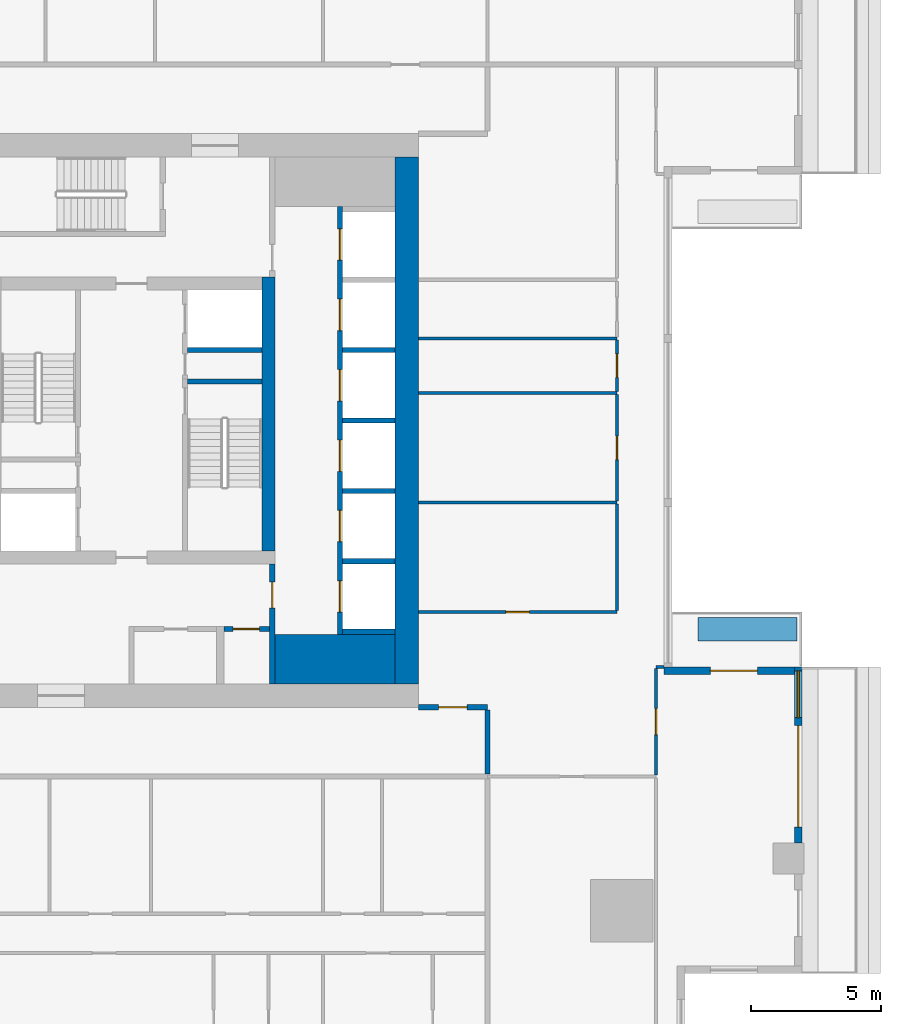
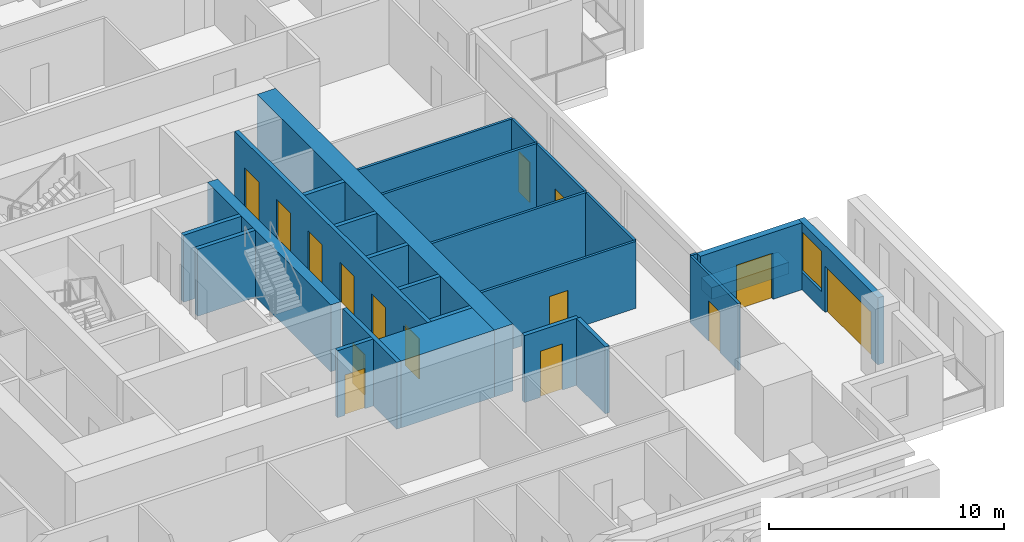
# One storey, part 5 of 15: 27 walls, 15 doors, 1 window, 16 openings.
"""IFC4 building model written with IfcOpenShell, lengths in metres."""

import ifcopenshell
import ifcopenshell.guid

model = None  # the IFC model being written
_history = None  # IfcOwnerHistory: only IFC2X3 demands one
_inside = {}  # id of a spatial element -> (the spatial element, [elements in it])
_under = {}  # id of a project, library or spatial element -> (it, [spatial elements below it])
_declared = {}  # id of a project -> (the project, [libraries it declares])
_typed = {}  # id of a type object -> (the type object, [elements of that type])
_made_of = {}  # id of a material, layer set ... -> (it, [elements and type objects made of it])


def new_model(schema):
    """Start an empty IFC model of exactly this schema.

    Asked for "IFC4X3", IfcOpenShell would pick the latest addendum, in which some entities
    have other attributes; the version numbers below select the first issue.
    IFC2X3 requires an IfcOwnerHistory on every rooted entity: one is made here for all.
    """
    global model, _history
    if schema == "IFC4X3":
        model = ifcopenshell.file(schema_version=(4, 3, 0, 0))
    else:
        model = ifcopenshell.file(schema=schema)
    _inside.clear()
    _under.clear()
    _declared.clear()
    _typed.clear()
    _made_of.clear()
    _history = None
    if model.schema == "IFC2X3":
        org = make("IfcOrganization", Name="unknown")
        user = make(
            "IfcPersonAndOrganization",
            ThePerson=make("IfcPerson", FamilyName="unknown"),
            TheOrganization=org,
        )
        app = make(
            "IfcApplication",
            ApplicationDeveloper=org,
            Version="unknown",
            ApplicationFullName="unknown",
            ApplicationIdentifier="unknown",
        )
        _history = make(
            "IfcOwnerHistory",
            OwningUser=user,
            OwningApplication=app,
            ChangeAction="ADDED",
            CreationDate=0,
        )
    return model


def make(cls, **values):
    """One entity of the class cls with the attributes given. An attribute that is None is left unset."""
    return model.create_entity(
        cls, **{name: value for name, value in values.items() if value is not None}
    )


def rooted(cls, **values):
    """An entity with a GlobalId (a new one), such as an element, a storey or a relation."""
    return make(cls, GlobalId=ifcopenshell.guid.new(), OwnerHistory=_history, **values)


def si_unit(unit_type, name, prefix=None):
    """IfcSIUnit, for example si_unit("LENGTHUNIT", "METRE", prefix="MILLI")."""
    return make("IfcSIUnit", UnitType=unit_type, Prefix=prefix, Name=name)


def assignment(units):
    """IfcUnitAssignment: the units of a project."""
    return None if units is None else make("IfcUnitAssignment", Units=units)


def point(xyz):
    """IfcCartesianPoint."""
    return None if xyz is None else make("IfcCartesianPoint", Coordinates=xyz)


def direction(xyz):
    """IfcDirection."""
    return None if xyz is None else make("IfcDirection", DirectionRatios=xyz)


def frame(location, z_axis=None, x_axis=None):
    """IfcAxis2Placement3D, a coordinate frame: its origin and axes. An axis left out is left unset."""
    return make(
        "IfcAxis2Placement3D",
        Location=point(location),
        Axis=direction(z_axis),
        RefDirection=direction(x_axis),
    )


def frame_2d(location, x_axis=None):
    """IfcAxis2Placement2D, a coordinate frame in the plane: its origin and x axis."""
    return make(
        "IfcAxis2Placement2D", Location=point(location), RefDirection=direction(x_axis)
    )


def origin():
    """The frame at (0, 0, 0) with its axes left unset."""
    return frame((0.0, 0.0, 0.0))


def place(relative_to, where):
    """IfcLocalPlacement: puts the frame where relative to a parent placement (None: the world)."""
    return make(
        "IfcLocalPlacement", PlacementRelTo=relative_to, RelativePlacement=where
    )


def context(
    kind, dimensions, precision=None, world=None, true_north=None, identifier=None
):
    """IfcGeometricRepresentationContext, for example the 3D "Model" context."""
    return make(
        "IfcGeometricRepresentationContext",
        ContextIdentifier=identifier,
        ContextType=kind,
        CoordinateSpaceDimension=dimensions,
        Precision=precision,
        WorldCoordinateSystem=world,
        TrueNorth=true_north,
    )


def subcontext(parent, identifier, kind, view, scale=None):
    """IfcGeometricRepresentationSubContext, for example "Body" below "Model"."""
    return make(
        "IfcGeometricRepresentationSubContext",
        ContextIdentifier=identifier,
        ContextType=kind,
        ParentContext=parent,
        TargetScale=scale,
        TargetView=view,
    )


def project(units=None, contexts=None):
    """IfcProject with its units and contexts."""
    return rooted(
        "IfcProject",
        Name="project",
        RepresentationContexts=contexts,
        UnitsInContext=assignment(units),
    )


def spatial(cls, under=None, at=None, **own):
    """A site, building, storey or space (cls), placed at a placement, below another one or the project."""
    s = rooted(cls, ObjectPlacement=at, **own)
    if under is not None:
        _under.setdefault(under.id(), (under, []))[1].append(s)
    return s


def profile(cls, at=None, kind="AREA", **sizes):
    """A parametric profile (cls). Its sizes go by their IFC names, for example OverallWidth=200.0."""
    return make(cls, ProfileType=kind, Position=at, **sizes)


def rectangle(**sizes):
    """IfcRectangleProfileDef."""
    return profile("IfcRectangleProfileDef", **sizes)


def extrude(swept, where, along, depth):
    """IfcExtrudedAreaSolid: the profile swept, set in the frame where, extruded along a direction by depth."""
    return make(
        "IfcExtrudedAreaSolid",
        SweptArea=swept,
        Position=where,
        ExtrudedDirection=direction(along),
        Depth=depth,
    )


def shape(context_of_items, identifier, shape_type, items):
    """IfcShapeRepresentation: the items that make up one representation, for example the "Body"."""
    return make(
        "IfcShapeRepresentation",
        ContextOfItems=context_of_items,
        RepresentationIdentifier=identifier,
        RepresentationType=shape_type,
        Items=items,
    )


def material(Name=None, Category=None):
    """IfcMaterial."""
    return make("IfcMaterial", Name=Name, Category=Category)


def layer(
    of_material, thickness, ventilated=None, Name=None, Category=None, Priority=None
):
    """IfcMaterialLayer: one layer of a wall or slab, of a material (None: an air gap)."""
    return make(
        "IfcMaterialLayer",
        Material=of_material,
        LayerThickness=thickness,
        IsVentilated=ventilated,
        Name=Name,
        Category=Category,
        Priority=Priority,
    )


def layer_set(layers, Name=None):
    """IfcMaterialLayerSet."""
    return make("IfcMaterialLayerSet", MaterialLayers=layers, LayerSetName=Name)


def made_of(thing, what):
    """Note that an element or type object is made of a material, layer set ...; save() writes the relation."""
    if what is not None:
        _made_of.setdefault(what.id(), (what, []))[1].append(thing)
    return thing


def type_object(cls, material=None, **own):
    """A type object (cls), such as IfcWallType, which elements share."""
    return made_of(rooted(cls, **own), material)


def element(
    cls,
    number,
    at=None,
    inside=None,
    cuts=None,
    type_object=None,
    material=None,
    context=None,
    identifier="Body",
    shape_type=None,
    held_by="IfcProductDefinitionShape",
    body=None,
    shapes=None,
    **own,
):
    """One element of the class cls, such as IfcWall. Its Tag is "e" and its number.

    at: its placement. inside: the storey or other place that contains it. cuts: it is an
    opening in that element (IfcRelVoidsElement). A single representation is given by context,
    identifier, shape_type and body (its items); several are given by shapes. held_by: the class
    of the entity that holds the representations. save() writes the other relations.
    """
    e = rooted(cls, Tag="e%d" % number, ObjectPlacement=at, **own)
    if body is not None:
        shapes = [shape(context, identifier, shape_type, body)]
    if shapes is not None:
        e.Representation = make(held_by, Representations=shapes)
    if inside is not None:
        _inside.setdefault(inside.id(), (inside, []))[1].append(e)
    if cuts is not None:
        rooted(
            "IfcRelVoidsElement", RelatingBuildingElement=cuts, RelatedOpeningElement=e
        )
    if type_object is not None:
        _typed.setdefault(type_object.id(), (type_object, []))[1].append(e)
    return made_of(e, material)


def fill(opening, filler):
    """IfcRelFillsElement: the door or window that sits in an opening."""
    return rooted(
        "IfcRelFillsElement",
        RelatingOpeningElement=opening,
        RelatedBuildingElement=filler,
    )


def aggregate(whole, parts):
    """IfcRelAggregates: a whole, such as a stair, and the parts it consists of."""
    return rooted("IfcRelAggregates", RelatingObject=whole, RelatedObjects=parts)


def save(model, path):
    """Write the relations noted so far, then the file.

    IfcRelAggregates (storeys below a building ...), IfcRelContainedInSpatialStructure (elements
    in a storey), IfcRelDefinesByType, IfcRelAssociatesMaterial and IfcRelDeclares: one each for
    every whole, place, type object, material and project.
    """
    for whole, parts in _under.values():
        aggregate(whole, parts)
    for where, things in _inside.values():
        rooted(
            "IfcRelContainedInSpatialStructure",
            RelatedElements=things,
            RelatingStructure=where,
        )
    for kind, things in _typed.values():
        rooted("IfcRelDefinesByType", RelatedObjects=things, RelatingType=kind)
    for what, things in _made_of.values():
        rooted("IfcRelAssociatesMaterial", RelatedObjects=things, RelatingMaterial=what)
    for by, libraries in _declared.values():
        rooted("IfcRelDeclares", RelatingContext=by, RelatedDefinitions=libraries)
    model.write(path)


model = new_model("IFC4")

# Units and contexts
model_context = context("Model", 3, precision=1e-05, world=origin(), true_north=direction((0.0, 1.0)))
body_context = subcontext(model_context, "Body", "Model", "MODEL_VIEW")
ifc_project = project(units=[si_unit("LENGTHUNIT", "METRE"), si_unit("AREAUNIT", "SQUARE_METRE"), si_unit("VOLUMEUNIT", "CUBIC_METRE"), si_unit("PLANEANGLEUNIT", "RADIAN"), si_unit("MASSUNIT", "GRAM", prefix="KILO")], contexts=[model_context])

# Site, building, storey
site_placement = place(None, origin())
site = spatial("IfcSite", under=ifc_project, at=site_placement, CompositionType="ELEMENT")
building_placement = place(site_placement, origin())
building = spatial("IfcBuilding", under=site, at=building_placement, Name="Khepri Terraces", CompositionType="ELEMENT")
storey_placement = place(building_placement, frame((0.0, 0.0, 211.800048828125)))
storey = spatial("IfcBuildingStorey", under=building, at=storey_placement, Name="L50", CompositionType="ELEMENT", Elevation=211.800048828125)

# Walls
ifc_material_1 = material(Name="Concrete C50/60", Category="concrete")
ifc_layer_1 = layer(ifc_material_1, 1.89990234375, Name="Concrete C50/60", Category="concrete")
ifc_layer_set_1 = layer_set([ifc_layer_1], Name="Concrete C50/60")
wall_type_1 = type_object("IfcWallType", Name="Core wall 1900 C50/60", PredefinedType="SHEAR", material=ifc_layer_set_1)
wall_1_placement = place(storey_placement, frame((5.5, -9.14990234375, 0.0), z_axis=(0.0, 0.0, 1.0), x_axis=(1.0, 0.0, 0.0)))
element("IfcWall", 1, at=wall_1_placement, inside=storey, type_object=wall_type_1, Name="Core wall PR02 L50", PredefinedType="SHEAR", context=body_context, shape_type="SweptSolid", body=[
    extrude(rectangle(XDim=4.60009765625, YDim=1.89990234375, at=frame_2d((2.300048828125, 0.0))), origin(), (0.0, 0.0, 1.0), 3.47998046875),
])
ifc_layer_2 = layer(ifc_material_1, 0.199951171875, Name="Concrete C50/60", Category="concrete")
ifc_layer_set_2 = layer_set([ifc_layer_2], Name="Concrete C50/60")
wall_type_2 = type_object("IfcWallType", Name="Core wall 200 C50/60", PredefinedType="SHEAR", material=ifc_layer_set_2)
wall_2_placement = place(storey_placement, frame((2.14990234375, 1.5, 0.0), z_axis=(0.0, 0.0, 1.0), x_axis=(1.0, 0.0, 0.0)))
element("IfcWall", 2, at=wall_2_placement, inside=storey, type_object=wall_type_2, Name="Core wall ST04 L50", PredefinedType="SHEAR", context=body_context, shape_type="SweptSolid", body=[
    extrude(rectangle(XDim=2.85009765625, YDim=0.199951171875, at=frame_2d((1.425048828125, 0.0))), origin(), (0.0, 0.0, 1.0), 3.47998046875),
])

# Wall, openings, doors
wall_3_placement = place(storey_placement, frame((8.0, -8.199951171875, 0.0), z_axis=(0.0, 0.0, 1.0), x_axis=(0.0, 1.0, 0.0)))
wall_3 = element("IfcWall", 3, at=wall_3_placement, inside=storey, type_object=wall_type_2, Name="Core wall SH02 L50", PredefinedType="SHEAR", context=body_context, shape_type="SweptSolid", body=[
    extrude(rectangle(XDim=16.39990234375, YDim=0.199951171875, at=frame_2d((8.199951171875, 0.0))), origin(), (0.0, 0.0, 1.0), 3.47998046875),
])
opening_1_placement = place(wall_3_placement, frame((0.85009765625, 0.0, 0.0)))
opening_1 = element("IfcOpeningElement", 4, at=opening_1_placement, cuts=wall_3, Name="Opening L50-C01", PredefinedType="OPENING", context=body_context, shape_type="SweptSolid", body=[
    extrude(rectangle(XDim=1.199951171875, YDim=2.10009765625, at=frame_2d((0.60009765625, 1.050048828125))), frame((0.0, 0.10986328125, 0.0), z_axis=(0.0, -1.0, 0.0), x_axis=(1.0, 0.0, 0.0)), (0.0, 0.0, 1.0), 0.219970703125),
])
opening_2_placement = place(wall_3_placement, frame((3.550048828125, 0.0, 0.0)))
opening_2 = element("IfcOpeningElement", 5, at=opening_2_placement, cuts=wall_3, Name="Opening L50-C02", PredefinedType="OPENING", context=body_context, shape_type="SweptSolid", body=[
    extrude(rectangle(XDim=1.199951171875, YDim=2.10009765625, at=frame_2d((0.60009765625, 1.050048828125))), frame((0.0, 0.10986328125, 0.0), z_axis=(0.0, -1.0, 0.0), x_axis=(1.0, 0.0, 0.0)), (0.0, 0.0, 1.0), 0.219970703125),
])
opening_3_placement = place(wall_3_placement, frame((6.25, 0.0, 0.0)))
opening_3 = element("IfcOpeningElement", 6, at=opening_3_placement, cuts=wall_3, Name="Opening L50-C03", PredefinedType="OPENING", context=body_context, shape_type="SweptSolid", body=[
    extrude(rectangle(XDim=1.199951171875, YDim=2.10009765625, at=frame_2d((0.60009765625, 1.050048828125))), frame((0.0, 0.10986328125, 0.0), z_axis=(0.0, -1.0, 0.0), x_axis=(1.0, 0.0, 0.0)), (0.0, 0.0, 1.0), 0.219970703125),
])
opening_4_placement = place(wall_3_placement, frame((8.949951171875, 0.0, 0.0)))
opening_4 = element("IfcOpeningElement", 7, at=opening_4_placement, cuts=wall_3, Name="Opening L50-C04", PredefinedType="OPENING", context=body_context, shape_type="SweptSolid", body=[
    extrude(rectangle(XDim=1.199951171875, YDim=2.10009765625, at=frame_2d((0.60009765625, 1.050048828125))), frame((0.0, 0.10986328125, 0.0), z_axis=(0.0, -1.0, 0.0), x_axis=(1.0, 0.0, 0.0)), (0.0, 0.0, 1.0), 0.219970703125),
])
opening_5_placement = place(wall_3_placement, frame((11.64990234375, 0.0, 0.0)))
opening_5 = element("IfcOpeningElement", 8, at=opening_5_placement, cuts=wall_3, Name="Opening L50-C05", PredefinedType="OPENING", context=body_context, shape_type="SweptSolid", body=[
    extrude(rectangle(XDim=1.199951171875, YDim=2.10009765625, at=frame_2d((0.60009765625, 1.050048828125))), frame((0.0, 0.10986328125, 0.0), z_axis=(0.0, -1.0, 0.0), x_axis=(1.0, 0.0, 0.0)), (0.0, 0.0, 1.0), 0.219970703125),
])
opening_6_placement = place(wall_3_placement, frame((14.35009765625, 0.0, 0.0)))
opening_6 = element("IfcOpeningElement", 9, at=opening_6_placement, cuts=wall_3, Name="Opening L50-C06", PredefinedType="OPENING", context=body_context, shape_type="SweptSolid", body=[
    extrude(rectangle(XDim=1.199951171875, YDim=2.10009765625, at=frame_2d((0.60009765625, 1.050048828125))), frame((0.0, 0.10986328125, 0.0), z_axis=(0.0, -1.0, 0.0), x_axis=(1.0, 0.0, 0.0)), (0.0, 0.0, 1.0), 0.219970703125),
])
ifc_material_2 = material(Name="Stainless steel 304", Category="steel")
door_type_1 = type_object("IfcDoorType", Name="DR-CORE-LANDING-1200", OperationType="NOTDEFINED", PredefinedType="DOOR", material=ifc_material_2)
door_1_placement = place(opening_1_placement, origin())
door_1 = element("IfcDoor", 10, at=door_1_placement, inside=storey, type_object=door_type_1, Name="Lift landing door L50-C01", OperationType="SLIDING_TO_LEFT", OverallHeight=2.10009765625, OverallWidth=1.199951171875, PredefinedType="DOOR", context=body_context, shape_type="SweptSolid", body=[
    extrude(rectangle(XDim=1.199951171875, YDim=2.10009765625, at=frame_2d((0.60009765625, 1.050048828125))), frame((0.0, 0.02490234375, 0.0), z_axis=(0.0, -1.0, 0.0), x_axis=(1.0, 0.0, 0.0)), (0.0, 0.0, 1.0), 0.050048828125),
])
fill(opening_1, door_1)
door_2_placement = place(opening_2_placement, origin())
door_2 = element("IfcDoor", 11, at=door_2_placement, inside=storey, type_object=door_type_1, Name="Lift landing door L50-C02", OperationType="SLIDING_TO_LEFT", OverallHeight=2.10009765625, OverallWidth=1.199951171875, PredefinedType="DOOR", context=body_context, shape_type="SweptSolid", body=[
    extrude(rectangle(XDim=1.199951171875, YDim=2.10009765625, at=frame_2d((0.60009765625, 1.050048828125))), frame((0.0, 0.02490234375, 0.0), z_axis=(0.0, -1.0, 0.0), x_axis=(1.0, 0.0, 0.0)), (0.0, 0.0, 1.0), 0.050048828125),
])
fill(opening_2, door_2)
door_3_placement = place(opening_3_placement, origin())
door_3 = element("IfcDoor", 12, at=door_3_placement, inside=storey, type_object=door_type_1, Name="Lift landing door L50-C03", OperationType="SLIDING_TO_LEFT", OverallHeight=2.10009765625, OverallWidth=1.199951171875, PredefinedType="DOOR", context=body_context, shape_type="SweptSolid", body=[
    extrude(rectangle(XDim=1.199951171875, YDim=2.10009765625, at=frame_2d((0.60009765625, 1.050048828125))), frame((0.0, 0.02490234375, 0.0), z_axis=(0.0, -1.0, 0.0), x_axis=(1.0, 0.0, 0.0)), (0.0, 0.0, 1.0), 0.050048828125),
])
fill(opening_3, door_3)
door_4_placement = place(opening_4_placement, origin())
door_4 = element("IfcDoor", 13, at=door_4_placement, inside=storey, type_object=door_type_1, Name="Lift landing door L50-C04", OperationType="SLIDING_TO_LEFT", OverallHeight=2.10009765625, OverallWidth=1.199951171875, PredefinedType="DOOR", context=body_context, shape_type="SweptSolid", body=[
    extrude(rectangle(XDim=1.199951171875, YDim=2.10009765625, at=frame_2d((0.60009765625, 1.050048828125))), frame((0.0, 0.02490234375, 0.0), z_axis=(0.0, -1.0, 0.0), x_axis=(1.0, 0.0, 0.0)), (0.0, 0.0, 1.0), 0.050048828125),
])
fill(opening_4, door_4)
door_5_placement = place(opening_5_placement, origin())
door_5 = element("IfcDoor", 14, at=door_5_placement, inside=storey, type_object=door_type_1, Name="Lift landing door L50-C05", OperationType="SLIDING_TO_LEFT", OverallHeight=2.10009765625, OverallWidth=1.199951171875, PredefinedType="DOOR", context=body_context, shape_type="SweptSolid", body=[
    extrude(rectangle(XDim=1.199951171875, YDim=2.10009765625, at=frame_2d((0.60009765625, 1.050048828125))), frame((0.0, 0.02490234375, 0.0), z_axis=(0.0, -1.0, 0.0), x_axis=(1.0, 0.0, 0.0)), (0.0, 0.0, 1.0), 0.050048828125),
])
fill(opening_5, door_5)
door_6_placement = place(opening_6_placement, origin())
door_6 = element("IfcDoor", 15, at=door_6_placement, inside=storey, type_object=door_type_1, Name="Lift landing door L50-C06", OperationType="SLIDING_TO_LEFT", OverallHeight=2.10009765625, OverallWidth=1.199951171875, PredefinedType="DOOR", context=body_context, shape_type="SweptSolid", body=[
    extrude(rectangle(XDim=1.199951171875, YDim=2.10009765625, at=frame_2d((0.60009765625, 1.050048828125))), frame((0.0, 0.02490234375, 0.0), z_axis=(0.0, -1.0, 0.0), x_axis=(1.0, 0.0, 0.0)), (0.0, 0.0, 1.0), 0.050048828125),
])
fill(opening_6, door_6)

# Walls
for number, where, z_axis, x_axis, name in (
    (16, (8.10009765625, -8.10009765625, 0.0), (0.0, 0.0, 1.0), (1.0, 0.0, 0.0), "Core wall SH03 L50"),
    (17, (8.10009765625, -5.39990234375, 0.0), (0.0, 0.0, 1.0), (1.0, 0.0, 0.0), "Core wall SH04 L50"),
    (18, (8.10009765625, -2.699951171875, 0.0), (0.0, 0.0, 1.0), (1.0, 0.0, 0.0), "Core wall SH08 L50"),
    (19, (8.10009765625, 0.0, 0.0), (0.0, 0.0, 1.0), (1.0, 0.0, 0.0), "Core wall SH09 L50"),
):
    element("IfcWall", number, at=place(storey_placement, frame(where, z_axis=z_axis, x_axis=x_axis)), inside=storey, type_object=wall_type_2, Name=name, PredefinedType="SHEAR", context=body_context, shape_type="SweptSolid", body=[
        extrude(rectangle(XDim=2.0, YDim=0.199951171875, at=frame_2d((1.0, 0.0))), origin(), (0.0, 0.0, 1.0), 3.47998046875),
    ])
wall_4_placement = place(storey_placement, frame((2.14990234375, 2.699951171875, 0.0), z_axis=(0.0, 0.0, 1.0), x_axis=(1.0, 0.0, 0.0)))
element("IfcWall", 20, at=wall_4_placement, inside=storey, type_object=wall_type_2, Name="Core wall SH12 L50", PredefinedType="SHEAR", context=body_context, shape_type="SweptSolid", body=[
    extrude(rectangle(XDim=2.85009765625, YDim=0.199951171875, at=frame_2d((1.425048828125, 0.0))), origin(), (0.0, 0.0, 1.0), 3.47998046875),
])
wall_5_placement = place(storey_placement, frame((8.10009765625, 2.699951171875, 0.0), z_axis=(0.0, 0.0, 1.0), x_axis=(1.0, 0.0, 0.0)))
element("IfcWall", 21, at=wall_5_placement, inside=storey, type_object=wall_type_2, Name="Core wall SH13 L50", PredefinedType="SHEAR", context=body_context, shape_type="SweptSolid", body=[
    extrude(rectangle(XDim=2.0, YDim=0.199951171875, at=frame_2d((1.0, 0.0))), origin(), (0.0, 0.0, 1.0), 3.47998046875),
])
ifc_layer_3 = layer(ifc_material_1, 0.5, Name="Concrete C50/60", Category="concrete")
ifc_layer_set_3 = layer_set([ifc_layer_3], Name="Concrete C50/60")
wall_type_3 = type_object("IfcWallType", Name="Core wall 500 C50/60", PredefinedType="SHEAR", material=ifc_layer_set_3)
wall_6_placement = place(storey_placement, frame((5.25, -5.0, 0.0), z_axis=(0.0, 0.0, 1.0), x_axis=(0.0, 1.0, 0.0)))
element("IfcWall", 22, at=wall_6_placement, inside=storey, type_object=wall_type_3, Name="Core wall BX03 L50", PredefinedType="SHEAR", context=body_context, shape_type="SweptSolid", body=[
    extrude(rectangle(XDim=10.5, YDim=0.5, at=frame_2d((5.25, 0.0))), origin(), (0.0, 0.0, 1.0), 3.47998046875),
])
ifc_layer_4 = layer(ifc_material_1, 0.89990234375, Name="Concrete C50/60", Category="concrete")
ifc_layer_set_4 = layer_set([ifc_layer_4], Name="Concrete C50/60")
wall_type_4 = type_object("IfcWallType", Name="Core wall 900 C50/60", PredefinedType="SHEAR", material=ifc_layer_set_4)
wall_7_placement = place(storey_placement, frame((10.550048828125, -10.10009765625, 0.0), z_axis=(0.0, 0.0, 1.0), x_axis=(0.0, 1.0, 0.0)))
element("IfcWall", 23, at=wall_7_placement, inside=storey, type_object=wall_type_4, Name="Core wall OW-E L50", PredefinedType="SHEAR", context=body_context, shape_type="SweptSolid", body=[
    extrude(rectangle(XDim=20.2001953125, YDim=0.89990234375, at=frame_2d((10.10009765625, 0.0))), origin(), (0.0, 0.0, 1.0), 3.47998046875),
])

# Wall, opening, door
ifc_material_3 = material(Name="Fire-rated gypsum board partition")
ifc_layer_5 = layer(ifc_material_3, 0.199951171875, Name="Fire-rated gypsum board partition")
ifc_layer_set_5 = layer_set([ifc_layer_5], Name="Fire-rated gypsum board partition")
wall_type_5 = type_object("IfcWallType", Name="WL-CORE-PART-200", PredefinedType="PARTITIONING", material=ifc_layer_set_5)
wall_8_placement = place(storey_placement, frame((5.39990234375, -10.10009765625, 0.0), z_axis=(0.0, 0.0, 1.0), x_axis=(0.0, 1.0, 0.0)))
wall_8 = element("IfcWall", 24, at=wall_8_placement, inside=storey, type_object=wall_type_5, Name="Core partition PT04 L50", PredefinedType="PARTITIONING", context=body_context, shape_type="SweptSolid", body=[
    extrude(rectangle(XDim=4.60009765625, YDim=0.199951171875, at=frame_2d((2.300048828125, 0.0))), origin(), (0.0, 0.0, 1.0), 3.47998046875),
])
opening_7_placement = place(wall_8_placement, frame((2.89990234375, 0.0, 0.0)))
opening_7 = element("IfcOpeningElement", 25, at=opening_7_placement, cuts=wall_8, Name="Opening L50-C19", PredefinedType="OPENING", context=body_context, shape_type="SweptSolid", body=[
    extrude(rectangle(XDim=1.0, YDim=2.10009765625, at=frame_2d((0.5, 1.050048828125))), frame((0.0, 0.10986328125, 0.0), z_axis=(0.0, -1.0, 0.0), x_axis=(1.0, 0.0, 0.0)), (0.0, 0.0, 1.0), 0.219970703125),
])
ifc_material_4 = material(Name="Painted steel", Category="steel")
door_type_2 = type_object("IfcDoorType", Name="DR-CORE-LOBBY-1000", OperationType="NOTDEFINED", PredefinedType="DOOR", material=ifc_material_4)
door_7_placement = place(opening_7_placement, origin())
door_7 = element("IfcDoor", 26, at=door_7_placement, inside=storey, type_object=door_type_2, Name="Lobby door L50-C19", OperationType="SINGLE_SWING_RIGHT", OverallHeight=2.10009765625, OverallWidth=1.0, PredefinedType="DOOR", context=body_context, shape_type="SweptSolid", body=[
    extrude(rectangle(XDim=1.0, YDim=2.10009765625, at=frame_2d((0.5, 1.050048828125))), frame((0.0, 0.02490234375, 0.0), z_axis=(0.0, -1.0, 0.0), x_axis=(1.0, 0.0, 0.0)), (0.0, 0.0, 1.0), 0.050048828125),
])
fill(opening_7, door_7)

wall_9_placement = place(storey_placement, frame((3.550048828125, -8.0, 0.0), z_axis=(0.0, 0.0, 1.0), x_axis=(1.0, 0.0, 0.0)))
wall_9 = element("IfcWall", 27, at=wall_9_placement, inside=storey, type_object=wall_type_5, Name="Core partition PT07 L50", PredefinedType="PARTITIONING", context=body_context, shape_type="SweptSolid", body=[
    extrude(rectangle(XDim=1.75, YDim=0.199951171875, at=frame_2d((0.875, 0.0))), origin(), (0.0, 0.0, 1.0), 3.47998046875),
])
opening_8_placement = place(wall_9_placement, frame((0.35009765625, 0.0, 0.0)))
opening_8 = element("IfcOpeningElement", 28, at=opening_8_placement, cuts=wall_9, Name="Opening L50-C23", PredefinedType="OPENING", context=body_context, shape_type="SweptSolid", body=[
    extrude(rectangle(XDim=1.0, YDim=2.10009765625, at=frame_2d((0.5, 1.050048828125))), frame((0.0, 0.10986328125, 0.0), z_axis=(0.0, -1.0, 0.0), x_axis=(1.0, 0.0, 0.0)), (0.0, 0.0, 1.0), 0.219970703125),
])
ifc_material_5 = material(Name="Timber veneer", Category="wood")
door_type_3 = type_object("IfcDoorType", Name="DR-CORE-WC-1000", OperationType="NOTDEFINED", PredefinedType="DOOR", material=ifc_material_5)
door_8_placement = place(opening_8_placement, frame((1.0, 0.0, 0.0), z_axis=(0.0, 0.0, 1.0), x_axis=(-1.0, 0.0, 0.0)))
door_8 = element("IfcDoor", 29, at=door_8_placement, inside=storey, type_object=door_type_3, Name="WC door L50-C23", OperationType="SINGLE_SWING_RIGHT", OverallHeight=2.10009765625, OverallWidth=1.0, PredefinedType="DOOR", context=body_context, shape_type="SweptSolid", body=[
    extrude(rectangle(XDim=1.0, YDim=2.10009765625, at=frame_2d((0.5, 1.050048828125))), frame((0.0, 0.02490234375, 0.0), z_axis=(0.0, -1.0, 0.0), x_axis=(1.0, 0.0, 0.0)), (0.0, 0.0, 1.0), 0.050048828125),
])
fill(opening_8, door_8)

# Wall
ifc_material_6 = material(Name="Fire-rated gypsum plasterboard partition, mineral wool")
ifc_layer_6 = layer(ifc_material_6, 0.199951171875, Name="Fire-rated gypsum plasterboard partition, mineral wool")
ifc_layer_set_6 = layer_set([ifc_layer_6], Name="Fire-rated gypsum plasterboard partition, mineral wool")
wall_type_6 = type_object("IfcWallType", Name="WL-CORR-200", PredefinedType="PARTITIONING", material=ifc_layer_set_6)
wall_10_placement = place(storey_placement, frame((13.64990234375, -13.550048828125, 0.0), z_axis=(0.0, 0.0, 1.0), x_axis=(0.0, 1.0, 0.0)))
element("IfcWall", 30, at=wall_10_placement, inside=storey, type_object=wall_type_6, Name="Partition P-024 L50", PredefinedType="PARTITIONING", context=body_context, shape_type="SweptSolid", body=[
    extrude(rectangle(XDim=2.449951171875, YDim=0.199951171875, at=frame_2d((1.22509765625, 0.0))), origin(), (0.0, 0.0, 1.0), 3.47998046875),
])

# Wall, opening, door
wall_11_placement = place(storey_placement, frame((11.0, -11.0, 0.0), z_axis=(0.0, 0.0, 1.0), x_axis=(1.0, 0.0, 0.0)))
wall_11 = element("IfcWall", 31, at=wall_11_placement, inside=storey, type_object=wall_type_6, Name="Partition P-029 L50", PredefinedType="PARTITIONING", context=body_context, shape_type="SweptSolid", body=[
    extrude(rectangle(XDim=2.64990234375, YDim=0.199951171875, at=frame_2d((1.324951171875, 0.0))), origin(), (0.0, 0.0, 1.0), 3.47998046875),
])
opening_9_placement = place(wall_11_placement, frame((0.77490234375, 0.0, 0.0)))
opening_9 = element("IfcOpeningElement", 32, at=opening_9_placement, cuts=wall_11, Name="Opening D1", PredefinedType="OPENING", context=body_context, shape_type="SweptSolid", body=[
    extrude(rectangle(XDim=1.10009765625, YDim=2.39990234375, at=frame_2d((0.550048828125, 1.199951171875))), frame((0.0, 0.10986328125, 0.0), z_axis=(0.0, -1.0, 0.0), x_axis=(1.0, 0.0, 0.0)), (0.0, 0.0, 1.0), 0.219970703125),
])
ifc_material_7 = material(Name="Solid-core timber door leaf, flat entrance door", Category="wood")
door_type_4 = type_object("IfcDoorType", Name="DR-ENT-1100", OperationType="NOTDEFINED", PredefinedType="DOOR", material=ifc_material_7)
door_9_placement = place(opening_9_placement, origin())
door_9 = element("IfcDoor", 33, at=door_9_placement, inside=storey, type_object=door_type_4, Name="Flat B1 entrance door", OperationType="SINGLE_SWING_LEFT", OverallHeight=2.39990234375, OverallWidth=1.10009765625, PredefinedType="DOOR", context=body_context, shape_type="SweptSolid", body=[
    extrude(rectangle(XDim=1.10009765625, YDim=2.39990234375, at=frame_2d((0.550048828125, 1.199951171875))), frame((0.0, 0.02490234375, 0.0), z_axis=(0.0, -1.0, 0.0), x_axis=(1.0, 0.0, 0.0)), (0.0, 0.0, 1.0), 0.050048828125),
])
fill(opening_9, door_9)

# Wall, openings, door, window
ifc_material_8 = material(Name="Precast concrete C50/60 warm stone", Category="masonry")
ifc_layer_7 = layer(ifc_material_8, 0.300048828125, Name="Precast concrete C50/60 warm stone", Category="masonry")
ifc_layer_set_7 = layer_set([ifc_layer_7], Name="Precast concrete C50/60 warm stone")
wall_type_7 = type_object("IfcWallType", Name="WL-EXT-PRECAST-300", PredefinedType="STANDARD", material=ifc_layer_set_7)
wall_12_placement = place(storey_placement, frame((25.570068359375, -16.199951171875, 0.0), z_axis=(0.0, 0.0, 1.0), x_axis=(0.0, 1.0, 0.0)))
wall_12 = element("IfcWall", 34, at=wall_12_placement, inside=storey, type_object=wall_type_7, Name="External wall L50 E", PredefinedType="STANDARD", context=body_context, shape_type="SweptSolid", body=[
    extrude(rectangle(XDim=6.75, YDim=0.300048828125, at=frame_2d((3.375, 0.0))), origin(), (0.0, 0.0, 1.0), 3.47998046875),
])
opening_10_placement = place(wall_12_placement, frame((0.60009765625, 0.0, 0.0)))
opening_10 = element("IfcOpeningElement", 35, at=opening_10_placement, cuts=wall_12, Name="Opening ED-L50-02", PredefinedType="OPENING", context=body_context, shape_type="SweptSolid", body=[
    extrude(rectangle(XDim=3.89990234375, YDim=2.39990234375, at=frame_2d((1.949951171875, 1.199951171875))), frame((0.0, 0.16015625, 0.0), z_axis=(0.0, -1.0, 0.0), x_axis=(1.0, 0.0, 0.0)), (0.0, 0.0, 1.0), 0.320068359375),
])
opening_11_placement = place(wall_12_placement, frame((4.800048828125, 0.0, 0.89990234375)))
opening_11 = element("IfcOpeningElement", 36, at=opening_11_placement, cuts=wall_12, Name="Opening W1", PredefinedType="OPENING", context=body_context, shape_type="SweptSolid", body=[
    extrude(rectangle(XDim=1.800048828125, YDim=2.10009765625, at=frame_2d((0.89990234375, 1.050048828125))), frame((0.0, 0.16015625, 0.0), z_axis=(0.0, -1.0, 0.0), x_axis=(1.0, 0.0, 0.0)), (0.0, 0.0, 1.0), 0.320068359375),
])
ifc_material_9 = material(Name="Anodised aluminium bronze glazed door", Category="aluminium")
door_type_5 = type_object("IfcDoorType", Name="DR-BAL-SLIDE-3900x2400", OperationType="NOTDEFINED", PredefinedType="DOOR", material=ifc_material_9)
door_10_placement = place(opening_10_placement, origin())
door_10 = element("IfcDoor", 37, at=door_10_placement, inside=storey, type_object=door_type_5, Name="Balcony door L50 E", OperationType="SLIDING_TO_LEFT", OverallHeight=2.39990234375, OverallWidth=3.89990234375, PredefinedType="DOOR", context=body_context, shape_type="SweptSolid", body=[
    extrude(rectangle(XDim=3.89990234375, YDim=2.39990234375, at=frame_2d((1.949951171875, 1.199951171875))), frame((0.0, 0.02490234375, 0.0), z_axis=(0.0, -1.0, 0.0), x_axis=(1.0, 0.0, 0.0)), (0.0, 0.0, 1.0), 0.050048828125),
])
fill(opening_10, door_10)
ifc_material_10 = material(Name="Clear glass", Category="glass")
window_type = type_object("IfcWindowType", Name="WIN-RES-1800x2100", PartitioningType="SINGLE_PANEL", PredefinedType="WINDOW", material=ifc_material_10)
window_placement = place(opening_11_placement, origin())
window = element("IfcWindow", 38, at=window_placement, inside=storey, type_object=window_type, Name="Window L50 E", OverallHeight=2.10009765625, OverallWidth=1.800048828125, PartitioningType="SINGLE_PANEL", PredefinedType="WINDOW", context=body_context, shape_type="SweptSolid", body=[
    extrude(rectangle(XDim=1.800048828125, YDim=2.10009765625, at=frame_2d((0.89990234375, 1.050048828125))), frame((0.0, 0.030029296875, 0.0), z_axis=(0.0, -1.0, 0.0), x_axis=(1.0, 0.0, 0.0)), (0.0, 0.0, 1.0), 0.06005859375),
])
fill(opening_11, window)

# Wall, opening, door
wall_13_placement = place(storey_placement, frame((25.419921875, -9.60009765625, 0.0), z_axis=(0.0, 0.0, 1.0), x_axis=(-1.0, 0.0, 0.0)))
wall_13 = element("IfcWall", 39, at=wall_13_placement, inside=storey, type_object=wall_type_7, Name="External wall L50 N", PredefinedType="STANDARD", context=body_context, shape_type="SweptSolid", body=[
    extrude(rectangle(XDim=5.0, YDim=0.300048828125, at=frame_2d((2.5, 0.0))), origin(), (0.0, 0.0, 1.0), 3.47998046875),
])
opening_12_placement = place(wall_13_placement, frame((1.419921875, 0.0, 0.0)))
opening_12 = element("IfcOpeningElement", 40, at=opening_12_placement, cuts=wall_13, Name="Opening ED-L50-03", PredefinedType="OPENING", context=body_context, shape_type="SweptSolid", body=[
    extrude(rectangle(XDim=1.800048828125, YDim=2.39990234375, at=frame_2d((0.89990234375, 1.199951171875))), frame((0.0, 0.16015625, 0.0), z_axis=(0.0, -1.0, 0.0), x_axis=(1.0, 0.0, 0.0)), (0.0, 0.0, 1.0), 0.320068359375),
])
door_type_6 = type_object("IfcDoorType", Name="DR-BAL-SLIDE-1800x2400", OperationType="NOTDEFINED", PredefinedType="DOOR", material=ifc_material_9)
door_11_placement = place(opening_12_placement, origin())
door_11 = element("IfcDoor", 41, at=door_11_placement, inside=storey, type_object=door_type_6, Name="Balcony door L50 N", OperationType="SLIDING_TO_LEFT", OverallHeight=2.39990234375, OverallWidth=1.800048828125, PredefinedType="DOOR", context=body_context, shape_type="SweptSolid", body=[
    extrude(rectangle(XDim=1.800048828125, YDim=2.39990234375, at=frame_2d((0.89990234375, 1.199951171875))), frame((0.0, 0.02490234375, 0.0), z_axis=(0.0, -1.0, 0.0), x_axis=(1.0, 0.0, 0.0)), (0.0, 0.0, 1.0), 0.050048828125),
])
fill(opening_12, door_11)

ifc_material_11 = material(Name="Gypsum plasterboard partition")
ifc_layer_8 = layer(ifc_material_11, 0.1201171875, Name="Gypsum plasterboard partition")
ifc_layer_set_8 = layer_set([ifc_layer_8], Name="Gypsum plasterboard partition")
wall_type_8 = type_object("IfcWallType", Name="WL-PART-120", PredefinedType="PARTITIONING", material=ifc_layer_set_8)
wall_14_placement = place(storey_placement, frame((20.1201171875, -13.590087890625, 0.0), z_axis=(0.0, 0.0, 1.0), x_axis=(0.0, 1.0, 0.0)))
wall_14 = element("IfcWall", 42, at=wall_14_placement, inside=storey, type_object=wall_type_8, Name="Partition P-020 L50", PredefinedType="PARTITIONING", context=body_context, shape_type="SweptSolid", body=[
    extrude(rectangle(XDim=4.080078125, YDim=0.1201171875, at=frame_2d((2.0400390625, 0.0))), origin(), (0.0, 0.0, 1.0), 3.47998046875),
])
opening_13_placement = place(wall_14_placement, frame((1.5400390625, 0.0, 0.0)))
opening_13 = element("IfcOpeningElement", 43, at=opening_13_placement, cuts=wall_14, Name="Opening D2", PredefinedType="OPENING", context=body_context, shape_type="SweptSolid", body=[
    extrude(rectangle(XDim=1.0, YDim=2.10009765625, at=frame_2d((0.5, 1.050048828125))), frame((0.0, 0.070068359375, 0.0), z_axis=(0.0, -1.0, 0.0), x_axis=(1.0, 0.0, 0.0)), (0.0, 0.0, 1.0), 0.14013671875),
])
ifc_material_12 = material(Name="Timber door leaf, living room door", Category="wood")
door_type_7 = type_object("IfcDoorType", Name="DR-INT-1000", OperationType="NOTDEFINED", PredefinedType="DOOR", material=ifc_material_12)
door_12_placement = place(opening_13_placement, frame((1.0, 0.0, 0.0), z_axis=(0.0, 0.0, 1.0), x_axis=(-1.0, 0.0, 0.0)))
door_12 = element("IfcDoor", 44, at=door_12_placement, inside=storey, type_object=door_type_7, Name="Door Living Room", OperationType="SINGLE_SWING_RIGHT", OverallHeight=2.10009765625, OverallWidth=1.0, PredefinedType="DOOR", context=body_context, shape_type="SweptSolid", body=[
    extrude(rectangle(XDim=1.0, YDim=2.10009765625, at=frame_2d((0.5, 1.050048828125))), frame((0.0, 0.02490234375, 0.0), z_axis=(0.0, -1.0, 0.0), x_axis=(1.0, 0.0, 0.0)), (0.0, 0.0, 1.0), 0.050048828125),
])
fill(opening_13, door_12)

# Wall
wall_15_placement = place(storey_placement, frame((20.1201171875, -9.449951171875, 0.0), z_axis=(0.0, 0.0, 1.0), x_axis=(1.0, 0.0, 0.0)))
element("IfcWall", 45, at=wall_15_placement, inside=storey, type_object=wall_type_8, Name="Partition P-030 L50", PredefinedType="PARTITIONING", context=body_context, shape_type="SweptSolid", body=[
    extrude(rectangle(XDim=0.2998046875, YDim=0.1201171875, at=frame_2d((0.14990234375, 0.0))), origin(), (0.0, 0.0, 1.0), 3.47998046875),
])

# Wall, opening, door
wall_16_placement = place(storey_placement, frame((11.0, -7.35009765625, 0.0), z_axis=(0.0, 0.0, 1.0), x_axis=(1.0, 0.0, 0.0)))
wall_16 = element("IfcWall", 46, at=wall_16_placement, inside=storey, type_object=wall_type_8, Name="Partition P-032 L50", PredefinedType="PARTITIONING", context=body_context, shape_type="SweptSolid", body=[
    extrude(rectangle(XDim=7.6201171875, YDim=0.1201171875, at=frame_2d((3.81005859375, 0.0))), origin(), (0.0, 0.0, 1.0), 3.47998046875),
])
opening_14_placement = place(wall_16_placement, frame((3.360107421875, 0.0, 0.0)))
opening_14 = element("IfcOpeningElement", 47, at=opening_14_placement, cuts=wall_16, Name="Opening D3", PredefinedType="OPENING", context=body_context, shape_type="SweptSolid", body=[
    extrude(rectangle(XDim=0.89990234375, YDim=2.10009765625, at=frame_2d((0.449951171875, 1.050048828125))), frame((0.0, 0.070068359375, 0.0), z_axis=(0.0, -1.0, 0.0), x_axis=(1.0, 0.0, 0.0)), (0.0, 0.0, 1.0), 0.14013671875),
])
ifc_material_13 = material(Name="Timber door leaf", Category="wood")
door_type_8 = type_object("IfcDoorType", Name="DR-INT-900", OperationType="NOTDEFINED", PredefinedType="DOOR", material=ifc_material_13)
door_13_placement = place(opening_14_placement, origin())
door_13 = element("IfcDoor", 48, at=door_13_placement, inside=storey, type_object=door_type_8, Name="Door Kitchen", OperationType="SINGLE_SWING_RIGHT", OverallHeight=2.10009765625, OverallWidth=0.89990234375, PredefinedType="DOOR", context=body_context, shape_type="SweptSolid", body=[
    extrude(rectangle(XDim=0.89990234375, YDim=2.10009765625, at=frame_2d((0.449951171875, 1.050048828125))), frame((0.0, 0.02490234375, 0.0), z_axis=(0.0, -1.0, 0.0), x_axis=(1.0, 0.0, 0.0)), (0.0, 0.0, 1.0), 0.050048828125),
])
fill(opening_14, door_13)

# Walls
wall_17_placement = place(storey_placement, frame((18.6201171875, -7.2900390625, 0.0), z_axis=(0.0, 0.0, 1.0), x_axis=(0.0, 1.0, 0.0)))
element("IfcWall", 49, at=wall_17_placement, inside=storey, type_object=wall_type_8, Name="Partition P-034 L50", PredefinedType="PARTITIONING", context=body_context, shape_type="SweptSolid", body=[
    extrude(rectangle(XDim=4.080078125, YDim=0.1201171875, at=frame_2d((2.0400390625, 0.0))), origin(), (0.0, 0.0, 1.0), 3.47998046875),
])
wall_18_placement = place(storey_placement, frame((11.0, -3.14990234375, 0.0), z_axis=(0.0, 0.0, 1.0), x_axis=(1.0, 0.0, 0.0)))
element("IfcWall", 50, at=wall_18_placement, inside=storey, type_object=wall_type_8, Name="Partition P-042 L50", PredefinedType="PARTITIONING", context=body_context, shape_type="SweptSolid", body=[
    extrude(rectangle(XDim=7.6201171875, YDim=0.1201171875, at=frame_2d((3.81005859375, 0.0))), origin(), (0.0, 0.0, 1.0), 3.47998046875),
])

# Wall, opening, door
wall_19_placement = place(storey_placement, frame((18.6201171875, -3.090087890625, 0.0), z_axis=(0.0, 0.0, 1.0), x_axis=(0.0, 1.0, 0.0)))
wall_19 = element("IfcWall", 51, at=wall_19_placement, inside=storey, type_object=wall_type_8, Name="Partition P-044 L50", PredefinedType="PARTITIONING", context=body_context, shape_type="SweptSolid", body=[
    extrude(rectangle(XDim=4.080078125, YDim=0.1201171875, at=frame_2d((2.0400390625, 0.0))), origin(), (0.0, 0.0, 1.0), 3.47998046875),
])
opening_15_placement = place(wall_19_placement, frame((1.590087890625, 0.0, 0.0)))
opening_15 = element("IfcOpeningElement", 52, at=opening_15_placement, cuts=wall_19, Name="Opening D3", PredefinedType="OPENING", context=body_context, shape_type="SweptSolid", body=[
    extrude(rectangle(XDim=0.89990234375, YDim=2.10009765625, at=frame_2d((0.449951171875, 1.050048828125))), frame((0.0, 0.070068359375, 0.0), z_axis=(0.0, -1.0, 0.0), x_axis=(1.0, 0.0, 0.0)), (0.0, 0.0, 1.0), 0.14013671875),
])
door_14_placement = place(opening_15_placement, origin())
door_14 = element("IfcDoor", 53, at=door_14_placement, inside=storey, type_object=door_type_8, Name="Door Staff Bedroom", OperationType="SINGLE_SWING_RIGHT", OverallHeight=2.10009765625, OverallWidth=0.89990234375, PredefinedType="DOOR", context=body_context, shape_type="SweptSolid", body=[
    extrude(rectangle(XDim=0.89990234375, YDim=2.10009765625, at=frame_2d((0.449951171875, 1.050048828125))), frame((0.0, 0.02490234375, 0.0), z_axis=(0.0, -1.0, 0.0), x_axis=(1.0, 0.0, 0.0)), (0.0, 0.0, 1.0), 0.050048828125),
])
fill(opening_15, door_14)

# Wall
wall_20_placement = place(storey_placement, frame((11.0, 1.050048828125, 0.0), z_axis=(0.0, 0.0, 1.0), x_axis=(1.0, 0.0, 0.0)))
element("IfcWall", 54, at=wall_20_placement, inside=storey, type_object=wall_type_8, Name="Partition P-047 L50", PredefinedType="PARTITIONING", context=body_context, shape_type="SweptSolid", body=[
    extrude(rectangle(XDim=7.6201171875, YDim=0.1201171875, at=frame_2d((3.81005859375, 0.0))), origin(), (0.0, 0.0, 1.0), 3.47998046875),
])

# Wall, opening, door
wall_21_placement = place(storey_placement, frame((18.6201171875, 1.110107421875, 0.0), z_axis=(0.0, 0.0, 1.0), x_axis=(0.0, 1.0, 0.0)))
wall_21 = element("IfcWall", 55, at=wall_21_placement, inside=storey, type_object=wall_type_8, Name="Partition P-049 L50", PredefinedType="PARTITIONING", context=body_context, shape_type="SweptSolid", body=[
    extrude(rectangle(XDim=1.97998046875, YDim=0.1201171875, at=frame_2d((0.989990234375, 0.0))), origin(), (0.0, 0.0, 1.0), 3.47998046875),
])
opening_16_placement = place(wall_21_placement, frame((0.5400390625, 0.0, 0.0)))
opening_16 = element("IfcOpeningElement", 56, at=opening_16_placement, cuts=wall_21, Name="Opening D4", PredefinedType="OPENING", context=body_context, shape_type="SweptSolid", body=[
    extrude(rectangle(XDim=0.89990234375, YDim=2.10009765625, at=frame_2d((0.449951171875, 1.050048828125))), frame((0.0, 0.070068359375, 0.0), z_axis=(0.0, -1.0, 0.0), x_axis=(1.0, 0.0, 0.0)), (0.0, 0.0, 1.0), 0.14013671875),
])
ifc_material_14 = material(Name="Timber door leaf, moisture resistant", Category="wood")
door_type_9 = type_object("IfcDoorType", Name="DR-WET-900", OperationType="NOTDEFINED", PredefinedType="DOOR", material=ifc_material_14)
door_15_placement = place(opening_16_placement, origin())
door_15 = element("IfcDoor", 57, at=door_15_placement, inside=storey, type_object=door_type_9, Name="Door Powder Room", OperationType="SINGLE_SWING_RIGHT", OverallHeight=2.10009765625, OverallWidth=0.89990234375, PredefinedType="DOOR", context=body_context, shape_type="SweptSolid", body=[
    extrude(rectangle(XDim=0.89990234375, YDim=2.10009765625, at=frame_2d((0.449951171875, 1.050048828125))), frame((0.0, 0.02490234375, 0.0), z_axis=(0.0, -1.0, 0.0), x_axis=(1.0, 0.0, 0.0)), (0.0, 0.0, 1.0), 0.050048828125),
])
fill(opening_16, door_15)

# Walls
wall_22_placement = place(storey_placement, frame((11.0, 3.14990234375, 0.0), z_axis=(0.0, 0.0, 1.0), x_axis=(1.0, 0.0, 0.0)))
element("IfcWall", 58, at=wall_22_placement, inside=storey, type_object=wall_type_8, Name="Partition P-050 L50", PredefinedType="PARTITIONING", context=body_context, shape_type="SweptSolid", body=[
    extrude(rectangle(XDim=7.6201171875, YDim=0.1201171875, at=frame_2d((3.81005859375, 0.0))), origin(), (0.0, 0.0, 1.0), 3.47998046875),
])
ifc_layer_9 = layer(ifc_material_8, 0.89990234375, Name="Precast concrete C50/60 warm stone", Category="masonry")
ifc_layer_set_9 = layer_set([ifc_layer_9], Name="Precast concrete C50/60 warm stone")
wall_type_9 = type_object("IfcWallType", Name="WL-PLANTER-900", PredefinedType="MOVABLE", material=ifc_layer_set_9)
wall_23_placement = place(storey_placement, frame((21.719970703125, -8.0, 0.0), z_axis=(0.0, 0.0, 1.0), x_axis=(1.0, 0.0, 0.0)))
element("IfcWall", 59, at=wall_23_placement, inside=storey, type_object=wall_type_9, Name="Planter L50", PredefinedType="MOVABLE", context=body_context, shape_type="SweptSolid", body=[
    extrude(rectangle(XDim=3.800048828125, YDim=0.89990234375, at=frame_2d((1.89990234375, 0.0))), origin(), (0.0, 0.0, 1.0), 0.599853515625),
])

save(model, "model.ifc")
